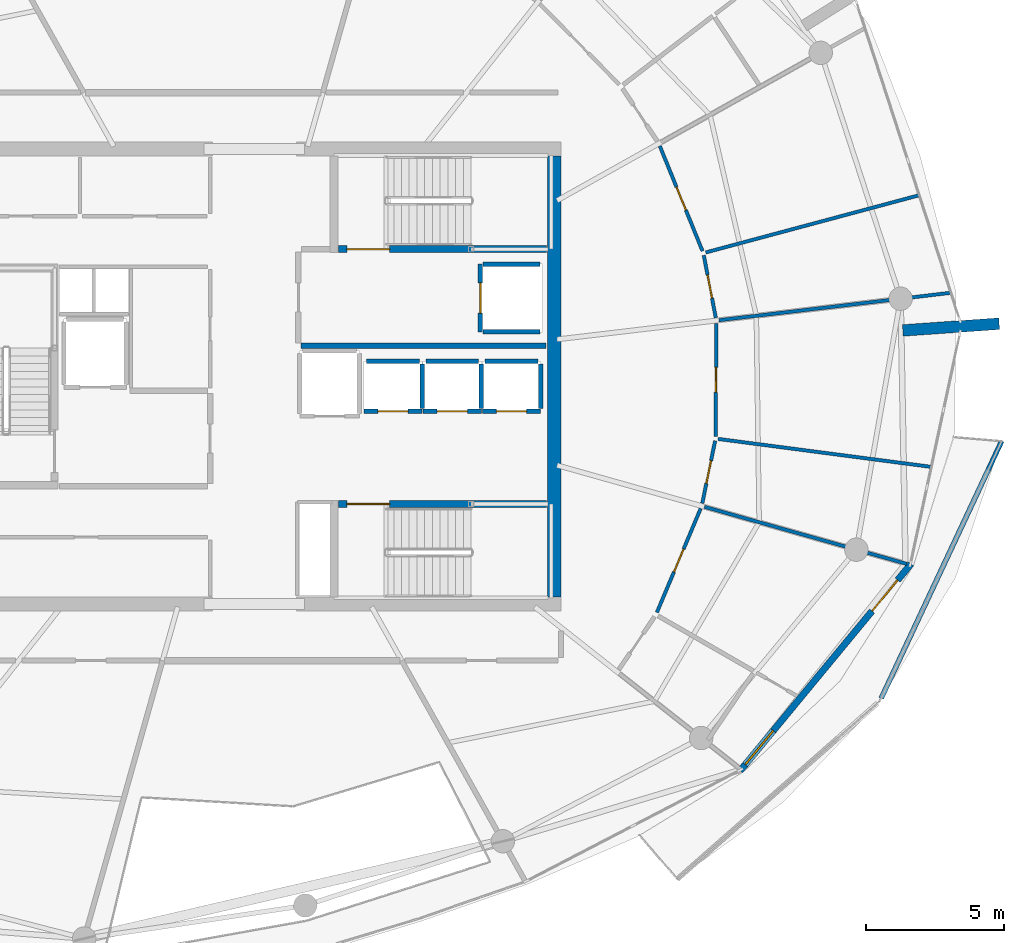
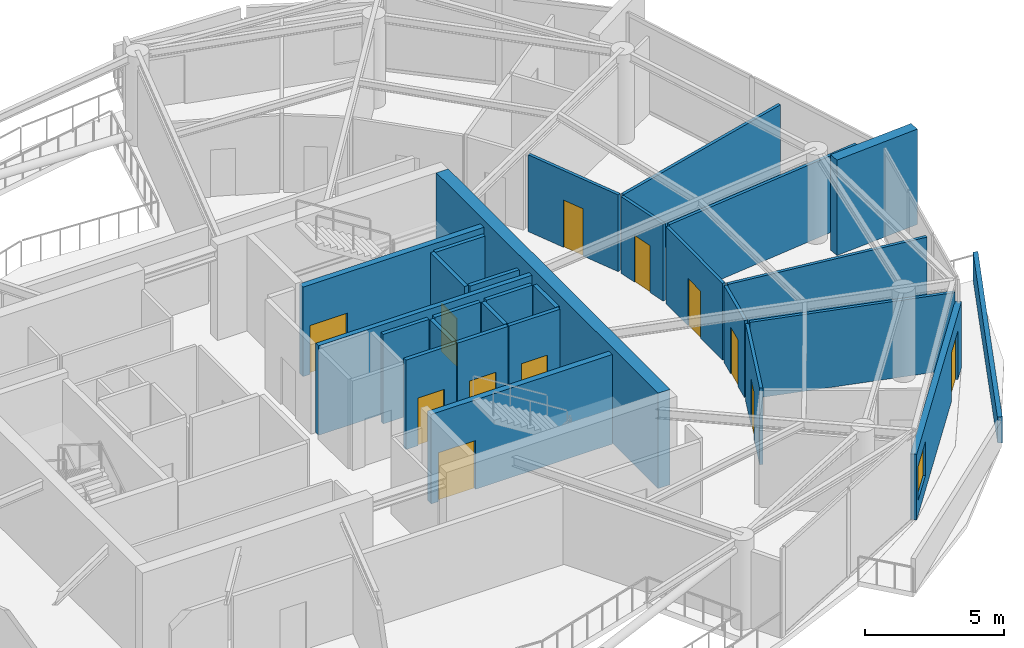
# One storey, part 15 of 22: 28 walls, 12 doors, 1 window, 13 openings.
"""IFC4 building model written with IfcOpenShell, lengths in metres."""

from ifc_helpers import new_model, si_unit, direction, frame, frame_2d, origin, place, context, subcontext, project, spatial, polyline, rectangle, outline, extrude, material, layer, layer_set, type_object, element, fill, save


model = new_model("IFC4")

# Units and contexts
model_context = context("Model", 3, precision=1e-05, world=origin(), true_north=direction((0.0, 1.0)))
body_context = subcontext(model_context, "Body", "Model", "MODEL_VIEW")
ifc_project = project(units=[si_unit("LENGTHUNIT", "METRE"), si_unit("AREAUNIT", "SQUARE_METRE"), si_unit("VOLUMEUNIT", "CUBIC_METRE"), si_unit("PLANEANGLEUNIT", "RADIAN"), si_unit("MASSUNIT", "GRAM", prefix="KILO")], contexts=[model_context])

# Site, building, storey
site_placement = place(None, origin())
site = spatial("IfcSite", under=ifc_project, at=site_placement, CompositionType="ELEMENT")
building_placement = place(site_placement, origin())
building = spatial("IfcBuilding", under=site, at=building_placement, Name="Kazma Halo Residences", CompositionType="ELEMENT")
storey_placement = place(building_placement, frame((0.0, 0.0, 326.300048828125)))
storey = spatial("IfcBuildingStorey", under=building, at=storey_placement, Name="L82", CompositionType="ELEMENT", Elevation=326.300048828125)

# Walls
ifc_material_1 = material(Name="White Concrete C50/60 Balustrade", Category="concrete")
ifc_layer_1 = layer(ifc_material_1, 0.179931640625)
ifc_layer_set_1 = layer_set([ifc_layer_1], Name="White Concrete C50/60 Balustrade")
wall_type_1 = type_object("IfcWallType", Name="WL-BAL-WAVE-180", PredefinedType="PARAPET", material=ifc_layer_set_1)
wall_1_placement = place(storey_placement, frame((71.156982421875, 30.335693359375, 0.0), z_axis=(0.0, 0.0, 1.0), x_axis=(0.424201912102, 0.905567632907, 0.0)))
element("IfcWall", 1, at=wall_1_placement, inside=storey, type_object=wall_type_1, Name="L82 white wave balustrade wall SE.2", PredefinedType="PARAPET", context=body_context, shape_type="SweptSolid", body=[
    extrude(outline(polyline([(0.0, 0.0), (10.301513671875, 0.0), (10.301513671875, 1.223876953125), (5.15087890625, 1.126953125), (0.0, 1.14794921875), (0.0, 0.0)])), frame((0.0, 0.08984375, 0.0), z_axis=(0.0, -1.0, 0.0), x_axis=(1.0, 0.0, 0.0)), (0.0, 0.0, 1.0), 0.179931640625),
])
ifc_material_2 = material(Name="Pale Concrete C60/75", Category="concrete")
ifc_layer_2 = layer(ifc_material_2, 0.419921875)
ifc_layer_set_2 = layer_set([ifc_layer_2], Name="Pale Concrete C60/75")
wall_type_2 = type_object("IfcWallType", Name="WL-BLADE-420", PredefinedType="SOLIDWALL", material=ifc_layer_set_2)
wall_2_placement = place(storey_placement, frame((71.94091796875, 43.674072265625, 0.0), z_axis=(0.0, 0.0, 1.0), x_axis=(0.997564163539, 0.069754853754, 0.0)))
element("IfcWall", 2, at=wall_2_placement, inside=storey, type_object=wall_type_2, Name="L82 pale concrete structural blade fin wall BW-04", PredefinedType="SOLIDWALL", context=body_context, shape_type="SweptSolid", body=[
    extrude(rectangle(XDim=3.5, YDim=0.419921875, at=frame_2d((1.75, 0.0))), origin(), (0.0, 0.0, 1.0), 4.199951171875),
])
ifc_material_3 = material(Name="Concrete C60/75", Category="concrete")
ifc_layer_3 = layer(ifc_material_3, 0.5)
ifc_layer_set_3 = layer_set([ifc_layer_3], Name="Concrete C60/75")
wall_type_3 = type_object("IfcWallType", Name="WL-CORE-500", PredefinedType="SHEAR", material=ifc_layer_set_3)
wall_3_placement = place(storey_placement, frame((59.300048828125, 34.0, 0.0), z_axis=(0.0, 0.0, 1.0), x_axis=(0.0, 1.0, 0.0)))
element("IfcWall", 3, at=wall_3_placement, inside=storey, type_object=wall_type_3, Name="L82 central core shear wall E", PredefinedType="SHEAR", context=body_context, shape_type="SweptSolid", body=[
    extrude(rectangle(XDim=16.0, YDim=0.5, at=frame_2d((8.0, 0.0))), origin(), (0.0, 0.0, 1.0), 4.199951171875),
])

# Wall, openings, door, window
ifc_material_4 = material(Name="Insulated Pale-Metal Composite Wall")
ifc_layer_4 = layer(ifc_material_4, 0.239990234375)
ifc_layer_set_4 = layer_set([ifc_layer_4], Name="Insulated Pale-Metal Composite Wall")
wall_type_4 = type_object("IfcWallType", Name="WL-EXT-HOST-240", PredefinedType="SOLIDWALL", material=ifc_layer_set_4)
wall_4_placement = place(storey_placement, frame((66.044677734375, 27.711181640625, 0.0), z_axis=(0.0, 0.0, 1.0), x_axis=(0.636803612721, 0.771026042897, 0.0)))
wall_4 = element("IfcWall", 4, at=wall_4_placement, inside=storey, type_object=wall_type_4, Name="L82 exterior terrace-access wall B14", PredefinedType="SOLIDWALL", context=body_context, shape_type="SweptSolid", body=[
    extrude(rectangle(XDim=9.7275390625, YDim=0.239990234375, at=frame_2d((4.86376953125, 0.0))), origin(), (0.0, 0.0, 1.0), 2.889892578125),
])
opening_1_placement = place(wall_4_placement, frame((7.5078125, 0.0, 0.0)))
opening_1 = element("IfcOpeningElement", 5, at=opening_1_placement, cuts=wall_4, Name="Opening DTR-1600", PredefinedType="OPENING", context=body_context, shape_type="SweptSolid", body=[
    extrude(rectangle(XDim=1.449951171875, YDim=2.14990234375, at=frame_2d((0.72509765625, 1.074951171875))), frame((0.0, 0.1298828125, 0.0), z_axis=(0.0, -1.0, 0.0), x_axis=(1.0, 0.0, 0.0)), (0.0, 0.0, 1.0), 0.260009765625),
])
opening_2_placement = place(wall_4_placement, frame((0.280029296875, 0.0, 0.64990234375)))
opening_2 = element("IfcOpeningElement", 6, at=opening_2_placement, cuts=wall_4, Name="Opening W-1800", PredefinedType="OPENING", context=body_context, shape_type="SweptSolid", body=[
    extrude(rectangle(XDim=1.60009765625, YDim=1.5, at=frame_2d((0.800048828125, 0.75))), frame((0.0, 0.1298828125, 0.0), z_axis=(0.0, -1.0, 0.0), x_axis=(1.0, 0.0, 0.0)), (0.0, 0.0, 1.0), 0.260009765625),
])
ifc_material_5 = material(Name="Aluminium AW-6063 T6 Double-Glazed Terrace Door", Category="aluminium")
door_type_1 = type_object("IfcDoorType", Name="DR-EXT-TERR-1600", OperationType="NOTDEFINED", PredefinedType="DOOR", material=ifc_material_5)
door_1_placement = place(opening_1_placement, origin())
door_1 = element("IfcDoor", 7, at=door_1_placement, inside=storey, type_object=door_type_1, Name="L82 B14 balcony terrace door", OperationType="DOUBLE_DOOR_SLIDING", OverallHeight=2.14990234375, OverallWidth=1.449951171875, PredefinedType="DOOR", context=body_context, shape_type="SweptSolid", body=[
    extrude(rectangle(XDim=1.449951171875, YDim=2.14990234375, at=frame_2d((0.72509765625, 1.074951171875))), frame((0.0, 0.02490234375, 0.0), z_axis=(0.0, -1.0, 0.0), x_axis=(1.0, 0.0, 0.0)), (0.0, 0.0, 1.0), 0.050048828125),
])
fill(opening_1, door_1)
ifc_material_6 = material(Name="Clear Triple-Silver Low-E Glass in Aluminium AW-6063 T6 Frame", Category="aluminium")
window_type = type_object("IfcWindowType", Name="WIN-RES-1800", PartitioningType="DOUBLE_PANEL_VERTICAL", PredefinedType="WINDOW", material=ifc_material_6)
window_placement = place(opening_2_placement, origin())
window = element("IfcWindow", 8, at=window_placement, inside=storey, type_object=window_type, Name="L82 B14 apartment window", OverallHeight=1.5, OverallWidth=1.60009765625, PartitioningType="SINGLE_PANEL", PredefinedType="WINDOW", context=body_context, shape_type="SweptSolid", body=[
    extrude(rectangle(XDim=1.60009765625, YDim=1.5, at=frame_2d((0.800048828125, 0.75))), frame((0.0, 0.030029296875, 0.0), z_axis=(0.0, -1.0, 0.0), x_axis=(1.0, 0.0, 0.0)), (0.0, 0.0, 1.0), 0.06005859375),
])
fill(opening_2, window)

# Wall, opening, door
ifc_material_7 = material(Name="Fire-Rated Blockwork Masonry", Category="masonry")
ifc_layer_5 = layer(ifc_material_7, 0.199951171875)
ifc_layer_set_5 = layer_set([ifc_layer_5], Name="Fire-Rated Blockwork Masonry")
wall_type_5 = type_object("IfcWallType", Name="WL-FLB-200", PredefinedType="PARTITIONING", material=ifc_layer_set_5)
wall_5_placement = place(storey_placement, frame((54.5048828125, 40.7451171875, 0.0), z_axis=(0.0, 0.0, 1.0), x_axis=(-1.0, 0.0, 0.0)))
wall_5 = element("IfcWall", 9, at=wall_5_placement, inside=storey, type_object=wall_type_5, Name="L82 lift shaft PH-01 front wall", PredefinedType="PARTITIONING", context=body_context, shape_type="SweptSolid", body=[
    extrude(rectangle(XDim=2.10986328125, YDim=0.159912109375, at=frame_2d((1.054931640625, 0.0))), origin(), (0.0, 0.0, 1.0), 3.93994140625),
])
opening_3_placement = place(wall_5_placement, frame((0.5048828125, 0.0, 0.0)))
opening_3 = element("IfcOpeningElement", 10, at=opening_3_placement, cuts=wall_5, Name="Opening LD-PH-01", PredefinedType="OPENING", context=body_context, shape_type="SweptSolid", body=[
    extrude(rectangle(XDim=1.10009765625, YDim=2.10009765625, at=frame_2d((0.550048828125, 1.050048828125))), frame((0.0, 0.08984375, 0.0), z_axis=(0.0, -1.0, 0.0), x_axis=(1.0, 0.0, 0.0)), (0.0, 0.0, 1.0), 0.179931640625),
])
ifc_material_8 = material(Name="Stainless Steel Fire-Rated", Category="steel")
door_type_2 = type_object("IfcDoorType", Name="DR-LIFT-SLD-1100", OperationType="DOUBLE_DOOR_SLIDING", PredefinedType="DOOR", material=ifc_material_8)
door_2_placement = place(opening_3_placement, origin())
door_2 = element("IfcDoor", 11, at=door_2_placement, inside=storey, type_object=door_type_2, Name="L82 lift PH-01 sliding landing door", OperationType="DOUBLE_DOOR_SLIDING", OverallHeight=2.10009765625, OverallWidth=1.10009765625, PredefinedType="DOOR", context=body_context, shape_type="SweptSolid", body=[
    extrude(rectangle(XDim=1.10009765625, YDim=2.10009765625, at=frame_2d((0.550048828125, 1.050048828125))), frame((0.0, 0.02490234375, 0.0), z_axis=(0.0, -1.0, 0.0), x_axis=(1.0, 0.0, 0.0)), (0.0, 0.0, 1.0), 0.050048828125),
])
fill(opening_3, door_2)

# Walls
wall_6_placement = place(storey_placement, frame((54.5048828125, 40.844970703125, 0.0), z_axis=(0.0, 0.0, 1.0), x_axis=(0.0, 1.0, 0.0)))
element("IfcWall", 12, at=wall_6_placement, inside=storey, type_object=wall_type_5, Name="L82 lift shaft PH-01 side wall E", PredefinedType="PARTITIONING", context=body_context, shape_type="SweptSolid", body=[
    extrude(rectangle(XDim=1.610107421875, YDim=0.159912109375, at=frame_2d((0.80517578125, 0.0))), origin(), (0.0, 0.0, 1.0), 3.93994140625),
])
wall_7_placement = place(storey_placement, frame((52.4951171875, 42.554931640625, 0.0), z_axis=(0.0, 0.0, 1.0), x_axis=(1.0, 0.0, 0.0)))
element("IfcWall", 13, at=wall_7_placement, inside=storey, type_object=wall_type_5, Name="L82 lift shaft PH-01 side wall N", PredefinedType="PARTITIONING", context=body_context, shape_type="SweptSolid", body=[
    extrude(rectangle(XDim=1.909912109375, YDim=0.159912109375, at=frame_2d((0.955078125, 0.0))), origin(), (0.0, 0.0, 1.0), 3.93994140625),
])

# Wall, opening, door
wall_8_placement = place(storey_placement, frame((56.655029296875, 40.7451171875, 0.0), z_axis=(0.0, 0.0, 1.0), x_axis=(-1.0, 0.0, 0.0)))
wall_8 = element("IfcWall", 14, at=wall_8_placement, inside=storey, type_object=wall_type_5, Name="L82 lift shaft PH-02 front wall", PredefinedType="PARTITIONING", context=body_context, shape_type="SweptSolid", body=[
    extrude(rectangle(XDim=2.110107421875, YDim=0.159912109375, at=frame_2d((1.05517578125, 0.0))), origin(), (0.0, 0.0, 1.0), 3.93994140625),
])
opening_4_placement = place(wall_8_placement, frame((0.5048828125, 0.0, 0.0)))
opening_4 = element("IfcOpeningElement", 15, at=opening_4_placement, cuts=wall_8, Name="Opening LD-PH-02", PredefinedType="OPENING", context=body_context, shape_type="SweptSolid", body=[
    extrude(rectangle(XDim=1.10009765625, YDim=2.10009765625, at=frame_2d((0.550048828125, 1.050048828125))), frame((0.0, 0.08984375, 0.0), z_axis=(0.0, -1.0, 0.0), x_axis=(1.0, 0.0, 0.0)), (0.0, 0.0, 1.0), 0.179931640625),
])
door_3_placement = place(opening_4_placement, origin())
door_3 = element("IfcDoor", 16, at=door_3_placement, inside=storey, type_object=door_type_2, Name="L82 lift PH-02 sliding landing door", OperationType="DOUBLE_DOOR_SLIDING", OverallHeight=2.10009765625, OverallWidth=1.10009765625, PredefinedType="DOOR", context=body_context, shape_type="SweptSolid", body=[
    extrude(rectangle(XDim=1.10009765625, YDim=2.10009765625, at=frame_2d((0.550048828125, 1.050048828125))), frame((0.0, 0.02490234375, 0.0), z_axis=(0.0, -1.0, 0.0), x_axis=(1.0, 0.0, 0.0)), (0.0, 0.0, 1.0), 0.050048828125),
])
fill(opening_4, door_3)

# Walls
wall_9_placement = place(storey_placement, frame((56.655029296875, 40.844970703125, 0.0), z_axis=(0.0, 0.0, 1.0), x_axis=(0.0, 1.0, 0.0)))
element("IfcWall", 17, at=wall_9_placement, inside=storey, type_object=wall_type_5, Name="L82 lift shaft PH-02 side wall E", PredefinedType="PARTITIONING", context=body_context, shape_type="SweptSolid", body=[
    extrude(rectangle(XDim=1.610107421875, YDim=0.159912109375, at=frame_2d((0.80517578125, 0.0))), origin(), (0.0, 0.0, 1.0), 3.93994140625),
])
wall_10_placement = place(storey_placement, frame((54.64501953125, 42.554931640625, 0.0), z_axis=(0.0, 0.0, 1.0), x_axis=(1.0, 0.0, 0.0)))
element("IfcWall", 18, at=wall_10_placement, inside=storey, type_object=wall_type_5, Name="L82 lift shaft PH-02 side wall N", PredefinedType="PARTITIONING", context=body_context, shape_type="SweptSolid", body=[
    extrude(rectangle(XDim=1.909912109375, YDim=0.159912109375, at=frame_2d((0.955078125, 0.0))), origin(), (0.0, 0.0, 1.0), 3.93994140625),
])

# Wall, opening, door
wall_11_placement = place(storey_placement, frame((58.804931640625, 40.7451171875, 0.0), z_axis=(0.0, 0.0, 1.0), x_axis=(-1.0, 0.0, 0.0)))
wall_11 = element("IfcWall", 19, at=wall_11_placement, inside=storey, type_object=wall_type_5, Name="L82 lift shaft PH-03 front wall", PredefinedType="PARTITIONING", context=body_context, shape_type="SweptSolid", body=[
    extrude(rectangle(XDim=2.10986328125, YDim=0.159912109375, at=frame_2d((1.054931640625, 0.0))), origin(), (0.0, 0.0, 1.0), 3.93994140625),
])
opening_5_placement = place(wall_11_placement, frame((0.5048828125, 0.0, 0.0)))
opening_5 = element("IfcOpeningElement", 20, at=opening_5_placement, cuts=wall_11, Name="Opening LD-PH-03", PredefinedType="OPENING", context=body_context, shape_type="SweptSolid", body=[
    extrude(rectangle(XDim=1.10009765625, YDim=2.10009765625, at=frame_2d((0.550048828125, 1.050048828125))), frame((0.0, 0.08984375, 0.0), z_axis=(0.0, -1.0, 0.0), x_axis=(1.0, 0.0, 0.0)), (0.0, 0.0, 1.0), 0.179931640625),
])
door_4_placement = place(opening_5_placement, origin())
door_4 = element("IfcDoor", 21, at=door_4_placement, inside=storey, type_object=door_type_2, Name="L82 lift PH-03 sliding landing door", OperationType="DOUBLE_DOOR_SLIDING", OverallHeight=2.10009765625, OverallWidth=1.10009765625, PredefinedType="DOOR", context=body_context, shape_type="SweptSolid", body=[
    extrude(rectangle(XDim=1.10009765625, YDim=2.10009765625, at=frame_2d((0.550048828125, 1.050048828125))), frame((0.0, 0.02490234375, 0.0), z_axis=(0.0, -1.0, 0.0), x_axis=(1.0, 0.0, 0.0)), (0.0, 0.0, 1.0), 0.050048828125),
])
fill(opening_5, door_4)

# Walls
wall_12_placement = place(storey_placement, frame((58.804931640625, 40.844970703125, 0.0), z_axis=(0.0, 0.0, 1.0), x_axis=(0.0, 1.0, 0.0)))
element("IfcWall", 22, at=wall_12_placement, inside=storey, type_object=wall_type_5, Name="L82 lift shaft PH-03 side wall E", PredefinedType="PARTITIONING", context=body_context, shape_type="SweptSolid", body=[
    extrude(rectangle(XDim=1.610107421875, YDim=0.159912109375, at=frame_2d((0.80517578125, 0.0))), origin(), (0.0, 0.0, 1.0), 3.93994140625),
])
wall_13_placement = place(storey_placement, frame((56.794921875, 42.554931640625, 0.0), z_axis=(0.0, 0.0, 1.0), x_axis=(1.0, 0.0, 0.0)))
element("IfcWall", 23, at=wall_13_placement, inside=storey, type_object=wall_type_5, Name="L82 lift shaft PH-03 side wall N", PredefinedType="PARTITIONING", context=body_context, shape_type="SweptSolid", body=[
    extrude(rectangle(XDim=1.91015625, YDim=0.159912109375, at=frame_2d((0.955078125, 0.0))), origin(), (0.0, 0.0, 1.0), 3.93994140625),
])

# Wall, opening, door
wall_14_placement = place(storey_placement, frame((56.6201171875, 46.080078125, 0.0), z_axis=(0.0, 0.0, 1.0), x_axis=(0.0, -1.0, 0.0)))
wall_14 = element("IfcWall", 24, at=wall_14_placement, inside=storey, type_object=wall_type_5, Name="L82 lift shaft FL-02 front wall", PredefinedType="PARTITIONING", context=body_context, shape_type="SweptSolid", body=[
    extrude(rectangle(XDim=2.4599609375, YDim=0.159912109375, at=frame_2d((1.22998046875, 0.0))), origin(), (0.0, 0.0, 1.0), 3.93994140625),
])
opening_6_placement = place(wall_14_placement, frame((0.679931640625, 0.0, 0.0)))
opening_6 = element("IfcOpeningElement", 25, at=opening_6_placement, cuts=wall_14, Name="Opening LD-FL-02", PredefinedType="OPENING", context=body_context, shape_type="SweptSolid", body=[
    extrude(rectangle(XDim=1.10009765625, YDim=2.10009765625, at=frame_2d((0.550048828125, 1.050048828125))), frame((0.0, 0.08984375, 0.0), z_axis=(0.0, -1.0, 0.0), x_axis=(1.0, 0.0, 0.0)), (0.0, 0.0, 1.0), 0.179931640625),
])
door_5_placement = place(opening_6_placement, origin())
door_5 = element("IfcDoor", 26, at=door_5_placement, inside=storey, type_object=door_type_2, Name="L82 lift FL-02 sliding landing door", OperationType="DOUBLE_DOOR_SLIDING", OverallHeight=2.10009765625, OverallWidth=1.10009765625, PredefinedType="DOOR", context=body_context, shape_type="SweptSolid", body=[
    extrude(rectangle(XDim=1.10009765625, YDim=2.10009765625, at=frame_2d((0.550048828125, 1.050048828125))), frame((0.0, 0.02490234375, 0.0), z_axis=(0.0, -1.0, 0.0), x_axis=(1.0, 0.0, 0.0)), (0.0, 0.0, 1.0), 0.050048828125),
])
fill(opening_6, door_5)

# Walls
for number, where, z_axis, x_axis, name in (
    (27, (56.719970703125, 46.080078125, 0.0), (0.0, 0.0, 1.0), (1.0, 0.0, 0.0), "L82 lift shaft FL-02 side wall N"),
    (28, (56.719970703125, 43.6201171875, 0.0), (0.0, 0.0, 1.0), (1.0, 0.0, 0.0), "L82 lift shaft FL-02 side wall S"),
):
    element("IfcWall", number, at=place(storey_placement, frame(where, z_axis=z_axis, x_axis=x_axis)), inside=storey, type_object=wall_type_5, Name=name, PredefinedType="PARTITIONING", context=body_context, shape_type="SweptSolid", body=[
        extrude(rectangle(XDim=2.06005859375, YDim=0.159912109375, at=frame_2d((1.030029296875, 0.0))), origin(), (0.0, 0.0, 1.0), 3.93994140625),
    ])
wall_15_placement = place(storey_placement, frame((50.1201171875, 43.1201171875, 0.0), z_axis=(0.0, 0.0, 1.0), x_axis=(1.0, 0.0, 0.0)))
element("IfcWall", 29, at=wall_15_placement, inside=storey, type_object=wall_type_5, Name="L82 east firefighting lobby south smoke wall", PredefinedType="PARTITIONING", context=body_context, shape_type="SweptSolid", body=[
    extrude(rectangle(XDim=8.8798828125, YDim=0.199951171875, at=frame_2d((4.43994140625, 0.0))), origin(), (0.0, 0.0, 1.0), 3.93994140625),
])

# Wall, opening, door
ifc_material_9 = material(Name="Gypsum Plasterboard Partition")
ifc_layer_6 = layer(ifc_material_9, 0.125)
ifc_layer_set_6 = layer_set([ifc_layer_6], Name="Gypsum Plasterboard Partition")
wall_type_6 = type_object("IfcWallType", Name="WL-PART-125", PredefinedType="PARTITIONING", material=ifc_layer_set_6)
wall_16_placement = place(storey_placement, frame((63.021484375, 33.448486328125, 0.0), z_axis=(0.0, 0.0, 1.0), x_axis=(0.388350881923, 0.921511580236, 0.0)))
wall_16 = element("IfcWall", 30, at=wall_16_placement, inside=storey, type_object=wall_type_6, Name="L82 Penthouse 2 Gourmet Kitchen hall wall", PredefinedType="PARTITIONING", context=body_context, shape_type="SweptSolid", body=[
    extrude(rectangle(XDim=4.0849609375, YDim=0.125, at=frame_2d((2.04248046875, 0.0))), origin(), (0.0, 0.0, 1.0), 3.3798828125),
])
opening_7_placement = place(wall_16_placement, frame((1.592529296875, 0.0, 0.0)))
opening_7 = element("IfcOpeningElement", 31, at=opening_7_placement, cuts=wall_16, Name="Opening DI-950", PredefinedType="OPENING", context=body_context, shape_type="SweptSolid", body=[
    extrude(rectangle(XDim=0.89990234375, YDim=2.080078125, at=frame_2d((0.449951171875, 1.0400390625))), frame((0.0, 0.072509765625, 0.0), z_axis=(0.0, -1.0, 0.0), x_axis=(1.0, 0.0, 0.0)), (0.0, 0.0, 1.0), 0.14501953125),
])
ifc_material_10 = material(Name="Timber Veneer Flush Leaf", Category="wood")
door_type_3 = type_object("IfcDoorType", Name="DR-INT-950", OperationType="NOTDEFINED", PredefinedType="DOOR", material=ifc_material_10)
door_6_placement = place(opening_7_placement, origin())
door_6 = element("IfcDoor", 32, at=door_6_placement, inside=storey, type_object=door_type_3, Name="L82 Penthouse 2 Gourmet Kitchen door", OperationType="SINGLE_SWING_RIGHT", OverallHeight=2.080078125, OverallWidth=0.89990234375, PredefinedType="DOOR", context=body_context, shape_type="SweptSolid", body=[
    extrude(rectangle(XDim=0.89990234375, YDim=2.080078125, at=frame_2d((0.449951171875, 1.0400390625))), frame((0.0, 0.02490234375, 0.0), z_axis=(0.0, -1.0, 0.0), x_axis=(1.0, 0.0, 0.0)), (0.0, 0.0, 1.0), 0.050048828125),
])
fill(opening_7, door_6)

# Walls
wall_17_placement = place(storey_placement, frame((64.742919921875, 37.278076171875, 0.0), z_axis=(0.0, 0.0, 1.0), x_axis=(0.962455248497, -0.271440407162, 0.0)))
element("IfcWall", 33, at=wall_17_placement, inside=storey, type_object=wall_type_6, Name="L82 Penthouse 2 radial partition 14", PredefinedType="PARTITIONING", context=body_context, shape_type="SweptSolid", body=[
    extrude(rectangle(XDim=7.630615234375, YDim=0.125, at=frame_2d((3.8154296875, 0.0))), origin(), (0.0, 0.0, 1.0), 3.3798828125),
])
wall_18_placement = place(storey_placement, frame((65.23828125, 39.73974609375, 0.0), z_axis=(0.0, 0.0, 1.0), x_axis=(0.991512783403, -0.130009231784, 0.0)))
element("IfcWall", 34, at=wall_18_placement, inside=storey, type_object=wall_type_6, Name="L82 Penthouse 2 mid-bay wall 14", PredefinedType="PARTITIONING", context=body_context, shape_type="SweptSolid", body=[
    extrude(rectangle(XDim=7.7724609375, YDim=0.125, at=frame_2d((3.88623046875, 0.0))), origin(), (0.0, 0.0, 1.0), 3.3798828125),
])

# Wall, opening, door
wall_19_placement = place(storey_placement, frame((64.666748046875, 37.4033203125, 0.0), z_axis=(0.0, 0.0, 1.0), x_axis=(0.201239677413, 0.979542031888, 0.0)))
wall_19 = element("IfcWall", 35, at=wall_19_placement, inside=storey, type_object=wall_type_6, Name="L82 Penthouse 2 Primary Wine Pantry Store hall wall", PredefinedType="PARTITIONING", context=body_context, shape_type="SweptSolid", body=[
    extrude(rectangle(XDim=2.317138671875, YDim=0.125, at=frame_2d((1.15869140625, 0.0))), origin(), (0.0, 0.0, 1.0), 3.3798828125),
])
opening_8_placement = place(wall_19_placement, frame((0.733642578125, 0.0, 0.0)))
opening_8 = element("IfcOpeningElement", 36, at=opening_8_placement, cuts=wall_19, Name="Opening DB-900", PredefinedType="OPENING", context=body_context, shape_type="SweptSolid", body=[
    extrude(rectangle(XDim=0.85009765625, YDim=2.06005859375, at=frame_2d((0.425048828125, 1.030029296875))), frame((0.0, 0.072509765625, 0.0), z_axis=(0.0, -1.0, 0.0), x_axis=(1.0, 0.0, 0.0)), (0.0, 0.0, 1.0), 0.14501953125),
])
ifc_material_11 = material(Name="Moisture-Sealed Timber Leaf", Category="wood")
door_type_4 = type_object("IfcDoorType", Name="DR-BTH-900", OperationType="NOTDEFINED", PredefinedType="DOOR", material=ifc_material_11)
door_7_placement = place(opening_8_placement, origin())
door_7 = element("IfcDoor", 37, at=door_7_placement, inside=storey, type_object=door_type_4, Name="L82 Penthouse 2 Primary Wine Pantry Store door", OperationType="SINGLE_SWING_LEFT", OverallHeight=2.06005859375, OverallWidth=0.85009765625, PredefinedType="DOOR", context=body_context, shape_type="SweptSolid", body=[
    extrude(rectangle(XDim=0.85009765625, YDim=2.06005859375, at=frame_2d((0.425048828125, 1.030029296875))), frame((0.0, 0.02490234375, 0.0), z_axis=(0.0, -1.0, 0.0), x_axis=(1.0, 0.0, 0.0)), (0.0, 0.0, 1.0), 0.050048828125),
])
fill(opening_8, door_7)

wall_20_placement = place(storey_placement, frame((65.149658203125, 39.831298828125, 0.0), z_axis=(0.0, 0.0, 1.0), x_axis=(0.006309398222, 0.999980095549, 0.0)))
wall_20 = element("IfcWall", 38, at=wall_20_placement, inside=storey, type_object=wall_type_6, Name="L82 Penthouse 2 Secondary Formal Dining Room hall wall", PredefinedType="PARTITIONING", context=body_context, shape_type="SweptSolid", body=[
    extrude(rectangle(XDim=4.1015625, YDim=0.125, at=frame_2d((2.05078125, 0.0))), origin(), (0.0, 0.0, 1.0), 3.3798828125),
])
opening_9_placement = place(wall_20_placement, frame((1.600830078125, 0.0, 0.0)))
opening_9 = element("IfcOpeningElement", 39, at=opening_9_placement, cuts=wall_20, Name="Opening DI-950", PredefinedType="OPENING", context=body_context, shape_type="SweptSolid", body=[
    extrude(rectangle(XDim=0.89990234375, YDim=2.080078125, at=frame_2d((0.449951171875, 1.0400390625))), frame((0.0, 0.072509765625, 0.0), z_axis=(0.0, -1.0, 0.0), x_axis=(1.0, 0.0, 0.0)), (0.0, 0.0, 1.0), 0.14501953125),
])
door_8_placement = place(opening_9_placement, origin())
door_8 = element("IfcDoor", 40, at=door_8_placement, inside=storey, type_object=door_type_3, Name="L82 Penthouse 2 Secondary Formal Dining Room door", OperationType="SINGLE_SWING_RIGHT", OverallHeight=2.080078125, OverallWidth=0.89990234375, PredefinedType="DOOR", context=body_context, shape_type="SweptSolid", body=[
    extrude(rectangle(XDim=0.89990234375, YDim=2.080078125, at=frame_2d((0.449951171875, 1.0400390625))), frame((0.0, 0.02490234375, 0.0), z_axis=(0.0, -1.0, 0.0), x_axis=(1.0, 0.0, 0.0)), (0.0, 0.0, 1.0), 0.050048828125),
])
fill(opening_9, door_8)

# Walls
wall_21_placement = place(storey_placement, frame((65.275390625, 44.044677734375, 0.0), z_axis=(0.0, 0.0, 1.0), x_axis=(0.993069210767, 0.117531028353, 0.0)))
element("IfcWall", 41, at=wall_21_placement, inside=storey, type_object=wall_type_6, Name="L82 Penthouse 2 radial partition 15", PredefinedType="PARTITIONING", context=body_context, shape_type="SweptSolid", body=[
    extrude(rectangle(XDim=8.43994140625, YDim=0.125, at=frame_2d((4.219970703125, 0.0))), origin(), (0.0, 0.0, 1.0), 3.3798828125),
])
wall_22_placement = place(storey_placement, frame((64.79296875, 46.501953125, 0.0), z_axis=(0.0, 0.0, 1.0), x_axis=(0.965891144679, 0.258948443964, 0.0)))
element("IfcWall", 42, at=wall_22_placement, inside=storey, type_object=wall_type_6, Name="L82 Penthouse 2 mid-bay wall 15", PredefinedType="PARTITIONING", context=body_context, shape_type="SweptSolid", body=[
    extrude(rectangle(XDim=7.987548828125, YDim=0.125, at=frame_2d((3.99365234375, 0.0))), origin(), (0.0, 0.0, 1.0), 3.3798828125),
])

# Wall, opening, door
wall_23_placement = place(storey_placement, frame((65.1572265625, 44.131103515625, 0.0), z_axis=(0.0, 0.0, 1.0), x_axis=(-0.188714144971, 0.982032062352, 0.0)))
wall_23 = element("IfcWall", 43, at=wall_23_placement, inside=storey, type_object=wall_type_6, Name="L82 Penthouse 2 East Dressing Wardrobe hall wall", PredefinedType="PARTITIONING", context=body_context, shape_type="SweptSolid", body=[
    extrude(rectangle(XDim=2.310546875, YDim=0.125, at=frame_2d((1.1552734375, 0.0))), origin(), (0.0, 0.0, 1.0), 3.3798828125),
])
opening_10_placement = place(wall_23_placement, frame((0.730224609375, 0.0, 0.0)))
opening_10 = element("IfcOpeningElement", 44, at=opening_10_placement, cuts=wall_23, Name="Opening DB-900", PredefinedType="OPENING", context=body_context, shape_type="SweptSolid", body=[
    extrude(rectangle(XDim=0.85009765625, YDim=2.06005859375, at=frame_2d((0.425048828125, 1.030029296875))), frame((0.0, 0.072509765625, 0.0), z_axis=(0.0, -1.0, 0.0), x_axis=(1.0, 0.0, 0.0)), (0.0, 0.0, 1.0), 0.14501953125),
])
door_9_placement = place(opening_10_placement, origin())
door_9 = element("IfcDoor", 45, at=door_9_placement, inside=storey, type_object=door_type_4, Name="L82 Penthouse 2 East Dressing Wardrobe door", OperationType="SINGLE_SWING_RIGHT", OverallHeight=2.06005859375, OverallWidth=0.85009765625, PredefinedType="DOOR", context=body_context, shape_type="SweptSolid", body=[
    extrude(rectangle(XDim=0.85009765625, YDim=2.06005859375, at=frame_2d((0.425048828125, 1.030029296875))), frame((0.0, 0.02490234375, 0.0), z_axis=(0.0, -1.0, 0.0), x_axis=(1.0, 0.0, 0.0)), (0.0, 0.0, 1.0), 0.050048828125),
])
fill(opening_10, door_9)

wall_24_placement = place(storey_placement, frame((64.676025390625, 46.552734375, 0.0), z_axis=(0.0, 0.0, 1.0), x_axis=(-0.37668146291, 0.926342849867, 0.0)))
wall_24 = element("IfcWall", 46, at=wall_24_placement, inside=storey, type_object=wall_type_6, Name="L82 Penthouse 2 West Master Bedroom hall wall", PredefinedType="PARTITIONING", context=body_context, shape_type="SweptSolid", body=[
    extrude(rectangle(XDim=4.108642578125, YDim=0.125, at=frame_2d((2.05419921875, 0.0))), origin(), (0.0, 0.0, 1.0), 3.3798828125),
])
opening_11_placement = place(wall_24_placement, frame((1.604248046875, 0.0, 0.0)))
opening_11 = element("IfcOpeningElement", 47, at=opening_11_placement, cuts=wall_24, Name="Opening DI-950", PredefinedType="OPENING", context=body_context, shape_type="SweptSolid", body=[
    extrude(rectangle(XDim=0.89990234375, YDim=2.080078125, at=frame_2d((0.449951171875, 1.0400390625))), frame((0.0, 0.072509765625, 0.0), z_axis=(0.0, -1.0, 0.0), x_axis=(1.0, 0.0, 0.0)), (0.0, 0.0, 1.0), 0.14501953125),
])
door_10_placement = place(opening_11_placement, origin())
door_10 = element("IfcDoor", 48, at=door_10_placement, inside=storey, type_object=door_type_3, Name="L82 Penthouse 2 West Master Bedroom door", OperationType="SINGLE_SWING_LEFT", OverallHeight=2.080078125, OverallWidth=0.89990234375, PredefinedType="DOOR", context=body_context, shape_type="SweptSolid", body=[
    extrude(rectangle(XDim=0.89990234375, YDim=2.080078125, at=frame_2d((0.449951171875, 1.0400390625))), frame((0.0, 0.02490234375, 0.0), z_axis=(0.0, -1.0, 0.0), x_axis=(1.0, 0.0, 0.0)), (0.0, 0.0, 1.0), 0.050048828125),
])
fill(opening_11, door_10)

ifc_material_12 = material(Name="Concrete C50/60", Category="concrete")
ifc_layer_7 = layer(ifc_material_12, 0.25)
ifc_layer_set_7 = layer_set([ifc_layer_7], Name="Concrete C50/60")
wall_type_7 = type_object("IfcWallType", Name="WL-SHF-250", PredefinedType="SOLIDWALL", material=ifc_layer_set_7)
wall_25_placement = place(storey_placement, frame((51.47998046875, 46.6201171875, 0.0), z_axis=(0.0, 0.0, 1.0), x_axis=(1.0, 0.0, 0.0)))
wall_25 = element("IfcWall", 49, at=wall_25_placement, inside=storey, type_object=wall_type_7, Name="L82 exit stair ST-02 enclosure wall", PredefinedType="SOLIDWALL", context=body_context, shape_type="SweptSolid", body=[
    extrude(rectangle(XDim=7.5400390625, YDim=0.25, at=frame_2d((3.77001953125, 0.0))), origin(), (0.0, 0.0, 1.0), 3.93994140625),
])
opening_12_placement = place(wall_25_placement, frame((0.300048828125, 0.0, 0.0)))
opening_12 = element("IfcOpeningElement", 50, at=opening_12_placement, cuts=wall_25, Name="Opening D-ST2", PredefinedType="OPENING", context=body_context, shape_type="SweptSolid", body=[
    extrude(rectangle(XDim=1.550048828125, YDim=2.14990234375, at=frame_2d((0.77490234375, 1.074951171875))), frame((0.0, 0.135009765625, 0.0), z_axis=(0.0, -1.0, 0.0), x_axis=(1.0, 0.0, 0.0)), (0.0, 0.0, 1.0), 0.27001953125),
])
ifc_material_13 = material(Name="Fire-Rated Double Steel Leaf", Category="steel")
door_type_5 = type_object("IfcDoorType", Name="DR-FD90-1550", OperationType="NOTDEFINED", PredefinedType="DOOR", material=ifc_material_13)
door_11_placement = place(opening_12_placement, origin())
door_11 = element("IfcDoor", 51, at=door_11_placement, inside=storey, type_object=door_type_5, Name="L82 exit stair ST-02 fire door", OperationType="DOUBLE_DOOR_SINGLE_SWING", OverallHeight=2.14990234375, OverallWidth=1.550048828125, PredefinedType="DOOR", context=body_context, shape_type="SweptSolid", body=[
    extrude(rectangle(XDim=1.550048828125, YDim=2.14990234375, at=frame_2d((0.77490234375, 1.074951171875))), frame((0.0, 0.02490234375, 0.0), z_axis=(0.0, -1.0, 0.0), x_axis=(1.0, 0.0, 0.0)), (0.0, 0.0, 1.0), 0.050048828125),
])
fill(opening_12, door_11)

wall_26_placement = place(storey_placement, frame((51.47998046875, 37.3798828125, 0.0), z_axis=(0.0, 0.0, 1.0), x_axis=(1.0, 0.0, 0.0)))
wall_26 = element("IfcWall", 52, at=wall_26_placement, inside=storey, type_object=wall_type_7, Name="L82 exit stair ST-03 enclosure wall", PredefinedType="SOLIDWALL", context=body_context, shape_type="SweptSolid", body=[
    extrude(rectangle(XDim=7.5400390625, YDim=0.25, at=frame_2d((3.77001953125, 0.0))), origin(), (0.0, 0.0, 1.0), 3.93994140625),
])
opening_13_placement = place(wall_26_placement, frame((0.300048828125, 0.0, 0.0)))
opening_13 = element("IfcOpeningElement", 53, at=opening_13_placement, cuts=wall_26, Name="Opening D-ST3", PredefinedType="OPENING", context=body_context, shape_type="SweptSolid", body=[
    extrude(rectangle(XDim=1.550048828125, YDim=2.14990234375, at=frame_2d((0.77490234375, 1.074951171875))), frame((0.0, 0.135009765625, 0.0), z_axis=(0.0, -1.0, 0.0), x_axis=(1.0, 0.0, 0.0)), (0.0, 0.0, 1.0), 0.27001953125),
])
door_12_placement = place(opening_13_placement, origin())
door_12 = element("IfcDoor", 54, at=door_12_placement, inside=storey, type_object=door_type_5, Name="L82 exit stair ST-03 fire door", OperationType="DOUBLE_DOOR_SINGLE_SWING", OverallHeight=2.14990234375, OverallWidth=1.550048828125, PredefinedType="DOOR", context=body_context, shape_type="SweptSolid", body=[
    extrude(rectangle(XDim=1.550048828125, YDim=2.14990234375, at=frame_2d((0.77490234375, 1.074951171875))), frame((0.0, 0.02490234375, 0.0), z_axis=(0.0, -1.0, 0.0), x_axis=(1.0, 0.0, 0.0)), (0.0, 0.0, 1.0), 0.050048828125),
])
fill(opening_13, door_12)

save(model, "model.ifc")
